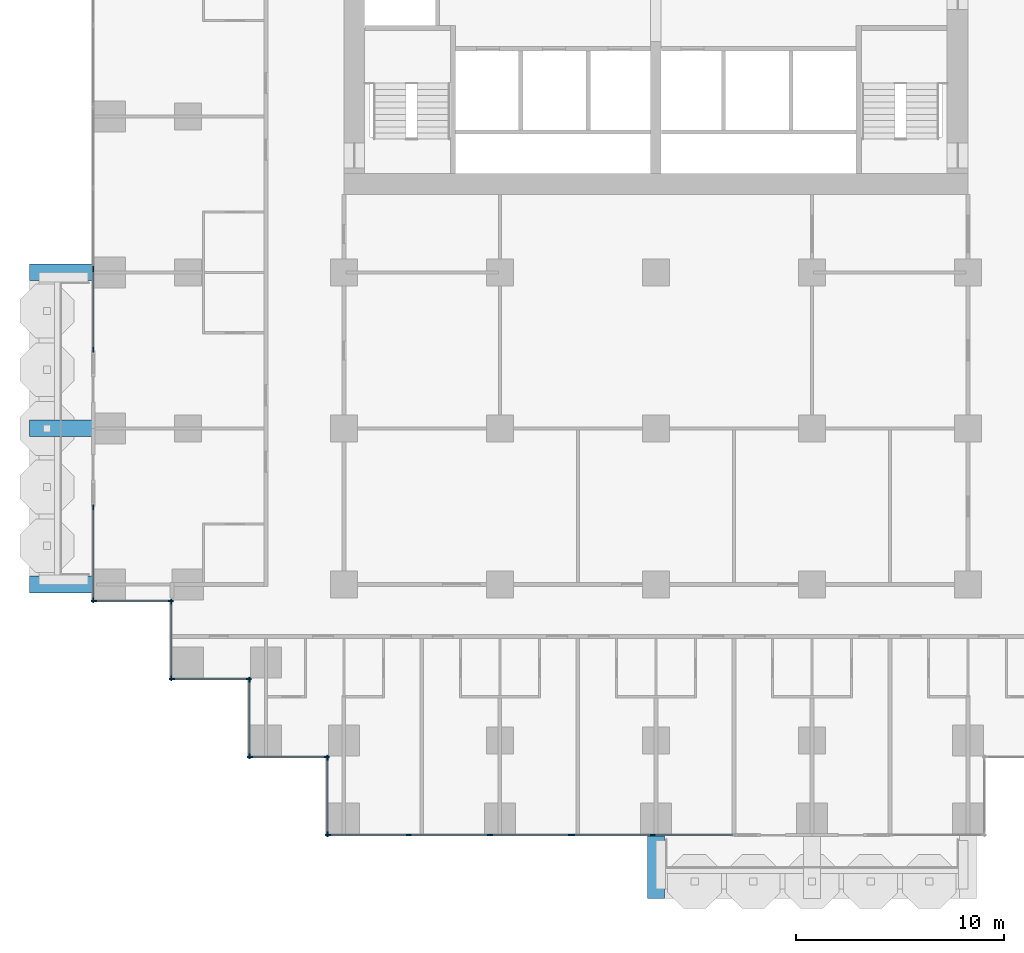
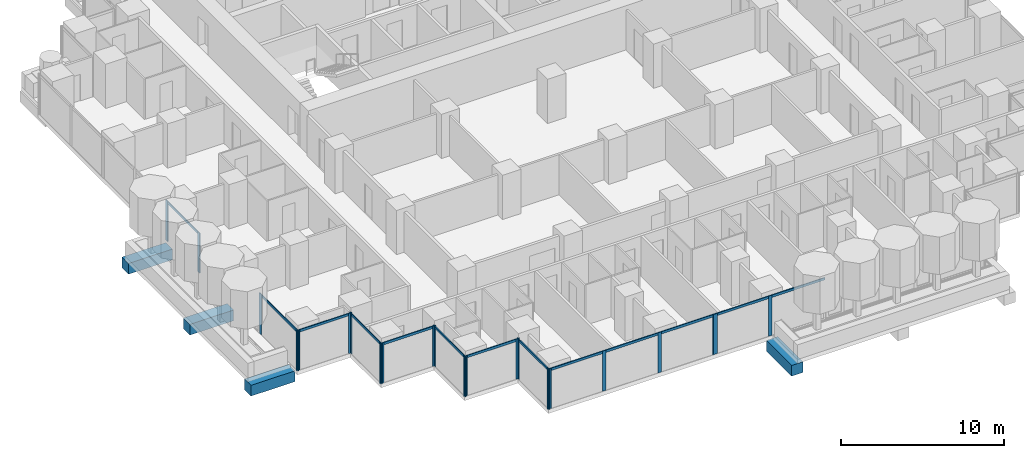
# One storey, part 2 of 20: 35 members, 4 beams, 10 elements without a shape of their own.
"""IFC4 building model written with IfcOpenShell, lengths in metres."""

from ifc_helpers import new_model, si_unit, direction, frame, origin, origin_2d, place, context, subcontext, project, spatial, rectangle, extrude, material, material_profile, profile_set, type_object, element, aggregate, save


model = new_model("IFC4")

# Units and contexts
model_context = context("Model", 3, precision=1e-05, world=origin(), true_north=direction((0.0, 1.0)))
body_context = subcontext(model_context, "Body", "Model", "MODEL_VIEW")
ifc_project = project(units=[si_unit("LENGTHUNIT", "METRE"), si_unit("AREAUNIT", "SQUARE_METRE"), si_unit("VOLUMEUNIT", "CUBIC_METRE"), si_unit("PLANEANGLEUNIT", "RADIAN"), si_unit("MASSUNIT", "GRAM", prefix="KILO")], contexts=[model_context])

# Site, building, storey
site_placement = place(None, origin())
site = spatial("IfcSite", under=ifc_project, at=site_placement, CompositionType="ELEMENT")
building_placement = place(site_placement, origin())
building = spatial("IfcBuilding", under=site, at=building_placement, Name="Pilkhan Gate Tower", CompositionType="ELEMENT")
storey_placement = place(building_placement, frame((0.0, 0.0, 92.300048828125)))
storey = spatial("IfcBuildingStorey", under=building, at=storey_placement, Name="L22", CompositionType="ELEMENT", Elevation=92.300048828125)

# Beams
ifc_material_1 = material(Name="Concrete C50/60", Category="concrete")
ifc_material_profile_1 = material_profile(ifc_material_1, rectangle(XDim=0.800048828125, YDim=0.800048828125, at=origin_2d()), Name="RC 800x800")
ifc_profile_set_1 = profile_set([ifc_material_profile_1], Name="Concrete C50/60")
beam_type = type_object("IfcBeamType", Name="Cantilever beam CB2 RC 800x800 C50/60", PredefinedType="BEAM", material=ifc_profile_set_1)
for number, where, z_axis, x_axis, name in (
    (1, (75.0, 40.5, -0.699951171875), (0.0, -1.0, 0.0), (1.0, 0.0, 0.0), "Balcony beam S.1 L22"),
    (2, (48.0, 52.5, -0.699951171875), (-1.0, 0.0, 0.0), (0.0, -1.0, 0.0), "Balcony beam W.1 L22"),
    (3, (48.0, 60.0, -0.699951171875), (-1.0, 0.0, 0.0), (0.0, -1.0, 0.0), "Balcony beam W.2 L22"),
    (4, (48.0, 67.5, -0.699951171875), (-1.0, 0.0, 0.0), (0.0, -1.0, 0.0), "Balcony beam W.3 L22"),
):
    element("IfcBeam", number, at=place(storey_placement, frame(where, z_axis=z_axis, x_axis=x_axis)), inside=storey, type_object=beam_type, Name=name, PredefinedType="BEAM", context=body_context, shape_type="SweptSolid", body=[
        extrude(rectangle(XDim=0.800048828125, YDim=0.800048828125, at=origin_2d()), origin(), (0.0, 0.0, 1.0), 3.10009765625),
    ])

# Curtain wall, members
ifc_material_2 = material(Name="Pale anodised aluminium, clear low-iron double glazing", Category="aluminium")
curtain_wall_type = type_object("IfcCurtainWallType", Name="Hotel unitised curtain wall CW-H", PredefinedType="USERDEFINED", material=ifc_material_2)
curtain_wall_1_placement = place(storey_placement, origin())
curtain_wall_1 = element("IfcCurtainWall", 5, at=curtain_wall_1_placement, inside=storey, type_object=curtain_wall_type, Name="Hotel unitised curtain wall CW-H L22 W", ObjectType="UNITISED CURTAIN WALL", PredefinedType="USERDEFINED")
ifc_material_3 = material(Name="Pale anodised aluminium", Category="aluminium")
ifc_material_profile_2 = material_profile(ifc_material_3, rectangle(XDim=0.06494140625, YDim=0.25, at=origin_2d()), Name="Mullion 250x65")
ifc_profile_set_2 = profile_set([ifc_material_profile_2], Name="Pale anodised aluminium")
member_type_1 = type_object("IfcMemberType", Name="Mullion CW-H 250x65", PredefinedType="MULLION", material=ifc_profile_set_2)
member_1_placement = place(storey_placement, frame((47.955078125, 51.737548828125, 0.0), z_axis=(0.0, 0.0, 1.0), x_axis=(-1.0, 0.0, 0.0)))
member_1 = element("IfcMember", 6, at=member_1_placement, type_object=member_type_1, Name="CW-H mullion 1", PredefinedType="MULLION", context=body_context, shape_type="SweptSolid", body=[
    extrude(rectangle(XDim=0.06494140625, YDim=0.25, at=origin_2d()), origin(), (0.0, 0.0, 1.0), 3.0),
])
member_2_placement = place(storey_placement, frame((47.955078125, 56.217529296875, 0.0), z_axis=(0.0, 0.0, 1.0), x_axis=(-1.0, 0.0, 0.0)))
member_2 = element("IfcMember", 7, at=member_2_placement, type_object=member_type_1, Name="CW-H mullion 2", PredefinedType="MULLION", context=body_context, shape_type="SweptSolid", body=[
    extrude(rectangle(XDim=0.06494140625, YDim=0.25, at=origin_2d()), origin(), (0.0, 0.0, 1.0), 3.0),
])

curtain_wall_2_placement = place(storey_placement, origin())
curtain_wall_2 = element("IfcCurtainWall", 8, at=curtain_wall_2_placement, inside=storey, type_object=curtain_wall_type, Name="Hotel unitised curtain wall CW-H L22 W", ObjectType="UNITISED CURTAIN WALL", PredefinedType="USERDEFINED")
member_3_placement = place(storey_placement, frame((47.955078125, 63.782470703125, 0.0), z_axis=(0.0, 0.0, 1.0), x_axis=(-1.0, 0.0, 0.0)))
member_3 = element("IfcMember", 9, at=member_3_placement, type_object=member_type_1, Name="CW-H mullion 1", PredefinedType="MULLION", context=body_context, shape_type="SweptSolid", body=[
    extrude(rectangle(XDim=0.06494140625, YDim=0.25, at=origin_2d()), origin(), (0.0, 0.0, 1.0), 3.0),
])
member_4_placement = place(storey_placement, frame((47.955078125, 67.658935546875, 0.0), z_axis=(0.0, 0.0, 1.0), x_axis=(-1.0, 0.0, 0.0)))
member_4 = element("IfcMember", 10, at=member_4_placement, type_object=member_type_1, Name="CW-H mullion 2", PredefinedType="MULLION", context=body_context, shape_type="SweptSolid", body=[
    extrude(rectangle(XDim=0.06494140625, YDim=0.25, at=origin_2d()), origin(), (0.0, 0.0, 1.0), 3.0),
])

curtain_wall_3_placement = place(storey_placement, origin())
curtain_wall_3 = element("IfcCurtainWall", 11, at=curtain_wall_3_placement, inside=storey, type_object=curtain_wall_type, Name="Hotel unitised curtain wall CW-H L22 S", ObjectType="UNITISED CURTAIN WALL", PredefinedType="USERDEFINED")
member_5_placement = place(storey_placement, frame((47.987548828125, 51.705078125, 0.0), z_axis=(0.0, 0.0, 1.0), x_axis=(0.0, 1.0, 0.0)))
member_5 = element("IfcMember", 12, at=member_5_placement, type_object=member_type_1, Name="CW-H mullion 1", PredefinedType="MULLION", context=body_context, shape_type="SweptSolid", body=[
    extrude(rectangle(XDim=0.06494140625, YDim=0.25, at=origin_2d()), origin(), (0.0, 0.0, 1.0), 3.0),
])
member_6_placement = place(storey_placement, frame((51.672607421875, 51.705078125, 0.0), z_axis=(0.0, 0.0, 1.0), x_axis=(0.0, 1.0, 0.0)))
member_6 = element("IfcMember", 13, at=member_6_placement, type_object=member_type_1, Name="CW-H mullion 2", PredefinedType="MULLION", context=body_context, shape_type="SweptSolid", body=[
    extrude(rectangle(XDim=0.06494140625, YDim=0.25, at=origin_2d()), origin(), (0.0, 0.0, 1.0), 3.0),
])

curtain_wall_4_placement = place(storey_placement, origin())
curtain_wall_4 = element("IfcCurtainWall", 14, at=curtain_wall_4_placement, inside=storey, type_object=curtain_wall_type, Name="Hotel unitised curtain wall CW-H L22 W", ObjectType="UNITISED CURTAIN WALL", PredefinedType="USERDEFINED")
member_7_placement = place(storey_placement, frame((51.705078125, 47.987548828125, 0.0), z_axis=(0.0, 0.0, 1.0), x_axis=(-1.0, 0.0, 0.0)))
member_7 = element("IfcMember", 15, at=member_7_placement, type_object=member_type_1, Name="CW-H mullion 1", PredefinedType="MULLION", context=body_context, shape_type="SweptSolid", body=[
    extrude(rectangle(XDim=0.06494140625, YDim=0.25, at=origin_2d()), origin(), (0.0, 0.0, 1.0), 3.0),
])
member_8_placement = place(storey_placement, frame((51.705078125, 51.672607421875, 0.0), z_axis=(0.0, 0.0, 1.0), x_axis=(-1.0, 0.0, 0.0)))
member_8 = element("IfcMember", 16, at=member_8_placement, type_object=member_type_1, Name="CW-H mullion 2", PredefinedType="MULLION", context=body_context, shape_type="SweptSolid", body=[
    extrude(rectangle(XDim=0.06494140625, YDim=0.25, at=origin_2d()), origin(), (0.0, 0.0, 1.0), 3.0),
])

curtain_wall_5_placement = place(storey_placement, origin())
curtain_wall_5 = element("IfcCurtainWall", 17, at=curtain_wall_5_placement, inside=storey, type_object=curtain_wall_type, Name="Hotel unitised curtain wall CW-H L22 S", ObjectType="UNITISED CURTAIN WALL", PredefinedType="USERDEFINED")
member_9_placement = place(storey_placement, frame((51.737548828125, 47.955078125, 0.0), z_axis=(0.0, 0.0, 1.0), x_axis=(0.0, 1.0, 0.0)))
member_9 = element("IfcMember", 18, at=member_9_placement, type_object=member_type_1, Name="CW-H mullion 1", PredefinedType="MULLION", context=body_context, shape_type="SweptSolid", body=[
    extrude(rectangle(XDim=0.06494140625, YDim=0.25, at=origin_2d()), origin(), (0.0, 0.0, 1.0), 3.0),
])
member_10_placement = place(storey_placement, frame((55.422607421875, 47.955078125, 0.0), z_axis=(0.0, 0.0, 1.0), x_axis=(0.0, 1.0, 0.0)))
member_10 = element("IfcMember", 19, at=member_10_placement, type_object=member_type_1, Name="CW-H mullion 2", PredefinedType="MULLION", context=body_context, shape_type="SweptSolid", body=[
    extrude(rectangle(XDim=0.06494140625, YDim=0.25, at=origin_2d()), origin(), (0.0, 0.0, 1.0), 3.0),
])

curtain_wall_6_placement = place(storey_placement, origin())
curtain_wall_6 = element("IfcCurtainWall", 20, at=curtain_wall_6_placement, inside=storey, type_object=curtain_wall_type, Name="Hotel unitised curtain wall CW-H L22 W", ObjectType="UNITISED CURTAIN WALL", PredefinedType="USERDEFINED")
member_11_placement = place(storey_placement, frame((55.455078125, 44.237548828125, 0.0), z_axis=(0.0, 0.0, 1.0), x_axis=(-1.0, 0.0, 0.0)))
member_11 = element("IfcMember", 21, at=member_11_placement, type_object=member_type_1, Name="CW-H mullion 1", PredefinedType="MULLION", context=body_context, shape_type="SweptSolid", body=[
    extrude(rectangle(XDim=0.06494140625, YDim=0.25, at=origin_2d()), origin(), (0.0, 0.0, 1.0), 3.0),
])
member_12_placement = place(storey_placement, frame((55.455078125, 47.922607421875, 0.0), z_axis=(0.0, 0.0, 1.0), x_axis=(-1.0, 0.0, 0.0)))
member_12 = element("IfcMember", 22, at=member_12_placement, type_object=member_type_1, Name="CW-H mullion 2", PredefinedType="MULLION", context=body_context, shape_type="SweptSolid", body=[
    extrude(rectangle(XDim=0.06494140625, YDim=0.25, at=origin_2d()), origin(), (0.0, 0.0, 1.0), 3.0),
])

curtain_wall_7_placement = place(storey_placement, origin())
curtain_wall_7 = element("IfcCurtainWall", 23, at=curtain_wall_7_placement, inside=storey, type_object=curtain_wall_type, Name="Hotel unitised curtain wall CW-H L22 S", ObjectType="UNITISED CURTAIN WALL", PredefinedType="USERDEFINED")
member_13_placement = place(storey_placement, frame((55.487548828125, 44.205078125, 0.0), z_axis=(0.0, 0.0, 1.0), x_axis=(0.0, 1.0, 0.0)))
member_13 = element("IfcMember", 24, at=member_13_placement, type_object=member_type_1, Name="CW-H mullion 1", PredefinedType="MULLION", context=body_context, shape_type="SweptSolid", body=[
    extrude(rectangle(XDim=0.06494140625, YDim=0.25, at=origin_2d()), origin(), (0.0, 0.0, 1.0), 3.0),
])
member_14_placement = place(storey_placement, frame((59.172607421875, 44.205078125, 0.0), z_axis=(0.0, 0.0, 1.0), x_axis=(0.0, 1.0, 0.0)))
member_14 = element("IfcMember", 25, at=member_14_placement, type_object=member_type_1, Name="CW-H mullion 2", PredefinedType="MULLION", context=body_context, shape_type="SweptSolid", body=[
    extrude(rectangle(XDim=0.06494140625, YDim=0.25, at=origin_2d()), origin(), (0.0, 0.0, 1.0), 3.0),
])

curtain_wall_8_placement = place(storey_placement, origin())
curtain_wall_8 = element("IfcCurtainWall", 26, at=curtain_wall_8_placement, inside=storey, type_object=curtain_wall_type, Name="Hotel unitised curtain wall CW-H L22 W", ObjectType="UNITISED CURTAIN WALL", PredefinedType="USERDEFINED")
member_15_placement = place(storey_placement, frame((59.205078125, 40.487548828125, 0.0), z_axis=(0.0, 0.0, 1.0), x_axis=(-1.0, 0.0, 0.0)))
member_15 = element("IfcMember", 27, at=member_15_placement, type_object=member_type_1, Name="CW-H mullion 1", PredefinedType="MULLION", context=body_context, shape_type="SweptSolid", body=[
    extrude(rectangle(XDim=0.06494140625, YDim=0.25, at=origin_2d()), origin(), (0.0, 0.0, 1.0), 3.0),
])
member_16_placement = place(storey_placement, frame((59.205078125, 44.172607421875, 0.0), z_axis=(0.0, 0.0, 1.0), x_axis=(-1.0, 0.0, 0.0)))
member_16 = element("IfcMember", 28, at=member_16_placement, type_object=member_type_1, Name="CW-H mullion 2", PredefinedType="MULLION", context=body_context, shape_type="SweptSolid", body=[
    extrude(rectangle(XDim=0.06494140625, YDim=0.25, at=origin_2d()), origin(), (0.0, 0.0, 1.0), 3.0),
])

curtain_wall_9_placement = place(storey_placement, origin())
curtain_wall_9 = element("IfcCurtainWall", 29, at=curtain_wall_9_placement, inside=storey, type_object=curtain_wall_type, Name="Hotel unitised curtain wall CW-H L22 S", ObjectType="UNITISED CURTAIN WALL", PredefinedType="USERDEFINED")
member_17_placement = place(storey_placement, frame((59.237548828125, 40.455078125, 0.0), z_axis=(0.0, 0.0, 1.0), x_axis=(0.0, 1.0, 0.0)))
member_17 = element("IfcMember", 30, at=member_17_placement, type_object=member_type_1, Name="CW-H mullion 1", PredefinedType="MULLION", context=body_context, shape_type="SweptSolid", body=[
    extrude(rectangle(XDim=0.06494140625, YDim=0.25, at=origin_2d()), origin(), (0.0, 0.0, 1.0), 3.0),
])
member_18_placement = place(storey_placement, frame((63.114013671875, 40.455078125, 0.0), z_axis=(0.0, 0.0, 1.0), x_axis=(0.0, 1.0, 0.0)))
member_18 = element("IfcMember", 31, at=member_18_placement, type_object=member_type_1, Name="CW-H mullion 2", PredefinedType="MULLION", context=body_context, shape_type="SweptSolid", body=[
    extrude(rectangle(XDim=0.06494140625, YDim=0.25, at=origin_2d()), origin(), (0.0, 0.0, 1.0), 3.0),
])
member_19_placement = place(storey_placement, frame((67.02294921875, 40.455078125, 0.0), z_axis=(0.0, 0.0, 1.0), x_axis=(0.0, 1.0, 0.0)))
member_19 = element("IfcMember", 32, at=member_19_placement, type_object=member_type_1, Name="CW-H mullion 3", PredefinedType="MULLION", context=body_context, shape_type="SweptSolid", body=[
    extrude(rectangle(XDim=0.06494140625, YDim=0.25, at=origin_2d()), origin(), (0.0, 0.0, 1.0), 3.0),
])
member_20_placement = place(storey_placement, frame((70.8994140625, 40.455078125, 0.0), z_axis=(0.0, 0.0, 1.0), x_axis=(0.0, 1.0, 0.0)))
member_20 = element("IfcMember", 33, at=member_20_placement, type_object=member_type_1, Name="CW-H mullion 4", PredefinedType="MULLION", context=body_context, shape_type="SweptSolid", body=[
    extrude(rectangle(XDim=0.06494140625, YDim=0.25, at=origin_2d()), origin(), (0.0, 0.0, 1.0), 3.0),
])

curtain_wall_10_placement = place(storey_placement, origin())
curtain_wall_10 = element("IfcCurtainWall", 34, at=curtain_wall_10_placement, inside=storey, type_object=curtain_wall_type, Name="Hotel unitised curtain wall CW-H L22 S", ObjectType="UNITISED CURTAIN WALL", PredefinedType="USERDEFINED")
member_21_placement = place(storey_placement, frame((70.964599609375, 40.455078125, 0.0), z_axis=(0.0, 0.0, 1.0), x_axis=(0.0, 1.0, 0.0)))
member_21 = element("IfcMember", 35, at=member_21_placement, type_object=member_type_1, Name="CW-H mullion 1", PredefinedType="MULLION", context=body_context, shape_type="SweptSolid", body=[
    extrude(rectangle(XDim=0.06494140625, YDim=0.25, at=origin_2d()), origin(), (0.0, 0.0, 1.0), 3.0),
])
member_22_placement = place(storey_placement, frame((74.841064453125, 40.455078125, 0.0), z_axis=(0.0, 0.0, 1.0), x_axis=(0.0, 1.0, 0.0)))
member_22 = element("IfcMember", 36, at=member_22_placement, type_object=member_type_1, Name="CW-H mullion 2", PredefinedType="MULLION", context=body_context, shape_type="SweptSolid", body=[
    extrude(rectangle(XDim=0.06494140625, YDim=0.25, at=origin_2d()), origin(), (0.0, 0.0, 1.0), 3.0),
])

# Member
ifc_material_profile_3 = material_profile(ifc_material_3, rectangle(XDim=0.06494140625, YDim=0.179931640625, at=origin_2d()), Name="Transom 180x65")
ifc_profile_set_3 = profile_set([ifc_material_profile_3], Name="Pale anodised aluminium")
member_type_2 = type_object("IfcMemberType", Name="Transom CW-H 180x65", PredefinedType="USERDEFINED", material=ifc_profile_set_3)
member_23_placement = place(storey_placement, frame((47.955078125, 51.77001953125, 2.909912109375), z_axis=(0.0, 1.0, 0.0), x_axis=(-1.0, 0.0, 0.0)))
member_23 = element("IfcMember", 37, at=member_23_placement, type_object=member_type_2, Name="CW-H transom 1", ObjectType="TRANSOM", PredefinedType="USERDEFINED", context=body_context, shape_type="SweptSolid", body=[
    extrude(rectangle(XDim=0.06494140625, YDim=0.179931640625, at=origin_2d()), origin(), (0.0, 0.0, 1.0), 4.4150390625),
])

aggregate(curtain_wall_1, [member_1, member_2, member_23])

member_24_placement = place(storey_placement, frame((47.955078125, 63.81494140625, 2.909912109375), z_axis=(0.0, 1.0, 0.0), x_axis=(-1.0, 0.0, 0.0)))
member_24 = element("IfcMember", 38, at=member_24_placement, type_object=member_type_2, Name="CW-H transom 1", ObjectType="TRANSOM", PredefinedType="USERDEFINED", context=body_context, shape_type="SweptSolid", body=[
    extrude(rectangle(XDim=0.06494140625, YDim=0.179931640625, at=origin_2d()), origin(), (0.0, 0.0, 1.0), 3.8115234375),
])

aggregate(curtain_wall_2, [member_3, member_4, member_24])

member_25_placement = place(storey_placement, frame((48.02001953125, 51.705078125, 2.909912109375), z_axis=(1.0, 0.0, 0.0), x_axis=(0.0, 1.0, 0.0)))
member_25 = element("IfcMember", 39, at=member_25_placement, type_object=member_type_2, Name="CW-H transom 1", ObjectType="TRANSOM", PredefinedType="USERDEFINED", context=body_context, shape_type="SweptSolid", body=[
    extrude(rectangle(XDim=0.06494140625, YDim=0.179931640625, at=origin_2d()), origin(), (0.0, 0.0, 1.0), 3.619873046875),
])

aggregate(curtain_wall_3, [member_5, member_6, member_25])

member_26_placement = place(storey_placement, frame((51.705078125, 48.02001953125, 2.909912109375), z_axis=(0.0, 1.0, 0.0), x_axis=(-1.0, 0.0, 0.0)))
member_26 = element("IfcMember", 40, at=member_26_placement, type_object=member_type_2, Name="CW-H transom 1", ObjectType="TRANSOM", PredefinedType="USERDEFINED", context=body_context, shape_type="SweptSolid", body=[
    extrude(rectangle(XDim=0.06494140625, YDim=0.179931640625, at=origin_2d()), origin(), (0.0, 0.0, 1.0), 3.619873046875),
])

aggregate(curtain_wall_4, [member_7, member_8, member_26])

member_27_placement = place(storey_placement, frame((51.77001953125, 47.955078125, 2.909912109375), z_axis=(1.0, 0.0, 0.0), x_axis=(0.0, 1.0, 0.0)))
member_27 = element("IfcMember", 41, at=member_27_placement, type_object=member_type_2, Name="CW-H transom 1", ObjectType="TRANSOM", PredefinedType="USERDEFINED", context=body_context, shape_type="SweptSolid", body=[
    extrude(rectangle(XDim=0.06494140625, YDim=0.179931640625, at=origin_2d()), origin(), (0.0, 0.0, 1.0), 3.619873046875),
])

aggregate(curtain_wall_5, [member_9, member_10, member_27])

member_28_placement = place(storey_placement, frame((55.455078125, 44.27001953125, 2.909912109375), z_axis=(0.0, 1.0, 0.0), x_axis=(-1.0, 0.0, 0.0)))
member_28 = element("IfcMember", 42, at=member_28_placement, type_object=member_type_2, Name="CW-H transom 1", ObjectType="TRANSOM", PredefinedType="USERDEFINED", context=body_context, shape_type="SweptSolid", body=[
    extrude(rectangle(XDim=0.06494140625, YDim=0.179931640625, at=origin_2d()), origin(), (0.0, 0.0, 1.0), 3.619873046875),
])

aggregate(curtain_wall_6, [member_11, member_12, member_28])

member_29_placement = place(storey_placement, frame((55.52001953125, 44.205078125, 2.909912109375), z_axis=(1.0, 0.0, 0.0), x_axis=(0.0, 1.0, 0.0)))
member_29 = element("IfcMember", 43, at=member_29_placement, type_object=member_type_2, Name="CW-H transom 1", ObjectType="TRANSOM", PredefinedType="USERDEFINED", context=body_context, shape_type="SweptSolid", body=[
    extrude(rectangle(XDim=0.06494140625, YDim=0.179931640625, at=origin_2d()), origin(), (0.0, 0.0, 1.0), 3.619873046875),
])

aggregate(curtain_wall_7, [member_13, member_14, member_29])

member_30_placement = place(storey_placement, frame((59.205078125, 40.52001953125, 2.909912109375), z_axis=(0.0, 1.0, 0.0), x_axis=(-1.0, 0.0, 0.0)))
member_30 = element("IfcMember", 44, at=member_30_placement, type_object=member_type_2, Name="CW-H transom 1", ObjectType="TRANSOM", PredefinedType="USERDEFINED", context=body_context, shape_type="SweptSolid", body=[
    extrude(rectangle(XDim=0.06494140625, YDim=0.179931640625, at=origin_2d()), origin(), (0.0, 0.0, 1.0), 3.619873046875),
])

aggregate(curtain_wall_8, [member_15, member_16, member_30])

member_31_placement = place(storey_placement, frame((59.27001953125, 40.455078125, 2.909912109375), z_axis=(1.0, 0.0, 0.0), x_axis=(0.0, 1.0, 0.0)))
member_31 = element("IfcMember", 45, at=member_31_placement, type_object=member_type_2, Name="CW-H transom 1", ObjectType="TRANSOM", PredefinedType="USERDEFINED", context=body_context, shape_type="SweptSolid", body=[
    extrude(rectangle(XDim=0.06494140625, YDim=0.179931640625, at=origin_2d()), origin(), (0.0, 0.0, 1.0), 3.8115234375),
])

member_32_placement = place(storey_placement, frame((63.146484375, 40.455078125, 2.909912109375), z_axis=(1.0, 0.0, 0.0), x_axis=(0.0, 1.0, 0.0)))
member_32 = element("IfcMember", 46, at=member_32_placement, type_object=member_type_2, Name="CW-H transom 2", ObjectType="TRANSOM", PredefinedType="USERDEFINED", context=body_context, shape_type="SweptSolid", body=[
    extrude(rectangle(XDim=0.06494140625, YDim=0.179931640625, at=origin_2d()), origin(), (0.0, 0.0, 1.0), 3.843994140625),
])

member_33_placement = place(storey_placement, frame((67.055419921875, 40.455078125, 2.909912109375), z_axis=(1.0, 0.0, 0.0), x_axis=(0.0, 1.0, 0.0)))
member_33 = element("IfcMember", 47, at=member_33_placement, type_object=member_type_2, Name="CW-H transom 3", ObjectType="TRANSOM", PredefinedType="USERDEFINED", context=body_context, shape_type="SweptSolid", body=[
    extrude(rectangle(XDim=0.06494140625, YDim=0.179931640625, at=origin_2d()), origin(), (0.0, 0.0, 1.0), 3.8115234375),
])

aggregate(curtain_wall_9, [member_17, member_18, member_19, member_20, member_31, member_32, member_33])

member_34_placement = place(storey_placement, frame((70.9970703125, 40.455078125, 2.909912109375), z_axis=(1.0, 0.0, 0.0), x_axis=(0.0, 1.0, 0.0)))
member_34 = element("IfcMember", 48, at=member_34_placement, type_object=member_type_2, Name="CW-H transom 1", ObjectType="TRANSOM", PredefinedType="USERDEFINED", context=body_context, shape_type="SweptSolid", body=[
    extrude(rectangle(XDim=0.06494140625, YDim=0.179931640625, at=origin_2d()), origin(), (0.0, 0.0, 1.0), 3.8115234375),
])

member_35_placement = place(storey_placement, frame((74.87353515625, 40.455078125, 2.909912109375), z_axis=(1.0, 0.0, 0.0), x_axis=(0.0, 1.0, 0.0)))
member_35 = element("IfcMember", 49, at=member_35_placement, type_object=member_type_2, Name="CW-H transom 2", ObjectType="TRANSOM", PredefinedType="USERDEFINED", context=body_context, shape_type="SweptSolid", body=[
    extrude(rectangle(XDim=0.06494140625, YDim=0.179931640625, at=origin_2d()), origin(), (0.0, 0.0, 1.0), 3.8115234375),
])

aggregate(curtain_wall_10, [member_21, member_22, member_34, member_35])

save(model, "model.ifc")
